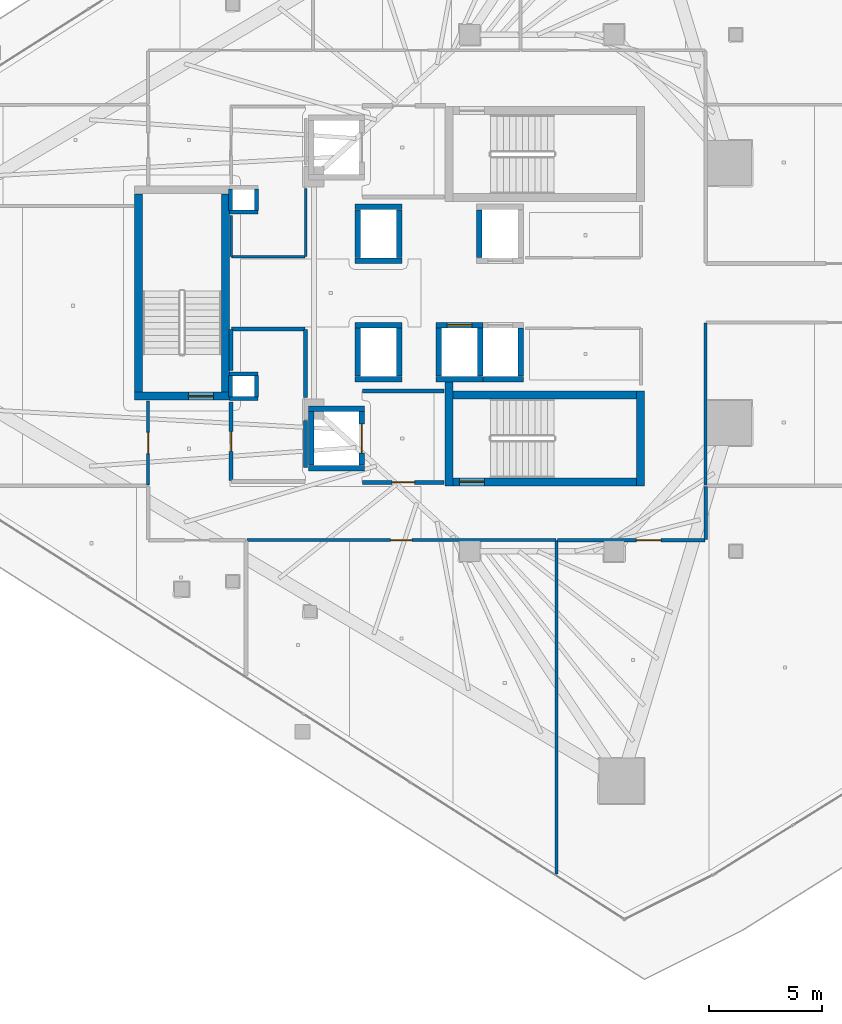
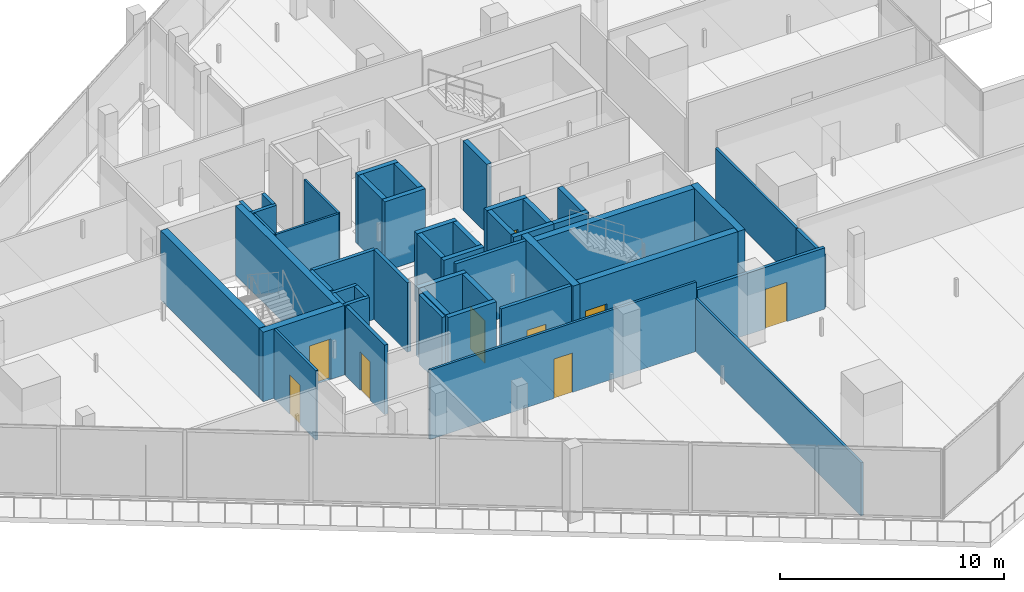
# One storey, part 25 of 36: 49 walls, 9 doors, 9 openings.
"""IFC4 building model written with IfcOpenShell, lengths in metres."""

from ifc_helpers import new_model, si_unit, direction, frame, frame_2d, origin, place, context, subcontext, project, spatial, rectangle, extrude, material, layer, layer_set, type_object, element, fill, save


model = new_model("IFC4")

# Units and contexts
model_context = context("Model", 3, precision=1e-05, world=origin(), true_north=direction((0.0, 1.0)))
body_context = subcontext(model_context, "Body", "Model", "MODEL_VIEW")
ifc_project = project(units=[si_unit("LENGTHUNIT", "METRE"), si_unit("AREAUNIT", "SQUARE_METRE"), si_unit("VOLUMEUNIT", "CUBIC_METRE"), si_unit("PLANEANGLEUNIT", "RADIAN"), si_unit("MASSUNIT", "GRAM", prefix="KILO")], contexts=[model_context])

# Site, building, storey
site_placement = place(None, origin())
site = spatial("IfcSite", under=ifc_project, at=site_placement, CompositionType="ELEMENT")
building_placement = place(site_placement, origin())
building = spatial("IfcBuilding", under=site, at=building_placement, Name="Qorvath Tower", CompositionType="ELEMENT")
storey_placement = place(building_placement, frame((0.0, 0.0, 205.050048828125)))
storey = spatial("IfcBuildingStorey", under=building, at=storey_placement, Name="L47", CompositionType="ELEMENT", Elevation=205.050048828125)

# Walls
ifc_material_1 = material(Name="Gypsum shaftliner on steel studs", Category="steel")
ifc_layer_1 = layer(ifc_material_1, 0.179931640625)
ifc_layer_set_1 = layer_set([ifc_layer_1], Name="FW-LOBBY")
wall_type_1 = type_object("IfcWallType", Name="FW-LOBBY", PredefinedType="PARTITIONING", material=ifc_layer_set_1)
wall_1_placement = place(storey_placement, frame((-32.989990234375, 3.594970703125, 0.0), z_axis=(0.0, 0.0, 1.0), x_axis=(-1.0, 0.0, 0.0)))
element("IfcWall", 1, at=wall_1_placement, inside=storey, type_object=wall_type_1, Name="MEP Riser Shaft Enclosure Wall N-L47-S", PredefinedType="PARTITIONING", context=body_context, shape_type="SweptSolid", body=[
    extrude(rectangle(XDim=1.27001953125, YDim=0.179931640625, at=frame_2d((0.635009765625, 0.0))), origin(), (0.0, 0.0, 1.0), 3.780029296875),
])
for number, where, z_axis, x_axis, name in (
    (2, (-34.205078125, 3.659912109375, 0.0), (0.0, 0.0, 1.0), (0.0, 1.0, 0.0), "MEP Riser Shaft Enclosure Wall N-L47-W"),
    (3, (-33.044921875, 4.610107421875, 0.0), (0.0, 0.0, 1.0), (0.0, -1.0, 0.0), "MEP Riser Shaft Enclosure Wall N-L47-E"),
):
    element("IfcWall", number, at=place(storey_placement, frame(where, z_axis=z_axis, x_axis=x_axis)), inside=storey, type_object=wall_type_1, Name=name, PredefinedType="PARTITIONING", context=body_context, shape_type="SweptSolid", body=[
        extrude(rectangle(XDim=0.9501953125, YDim=0.179931640625, at=frame_2d((0.47509765625, 0.0))), origin(), (0.0, 0.0, 1.0), 3.780029296875),
    ])
for number, where, z_axis, x_axis, name in (
    (4, (-32.989990234375, -4.675048828125, 0.0), (0.0, 0.0, 1.0), (-1.0, 0.0, 0.0), "MEP Riser Shaft Enclosure Wall S-L47-S"),
    (5, (-34.260009765625, -3.594970703125, 0.0), (0.0, 0.0, 1.0), (1.0, 0.0, 0.0), "MEP Riser Shaft Enclosure Wall S-L47-N"),
):
    element("IfcWall", number, at=place(storey_placement, frame(where, z_axis=z_axis, x_axis=x_axis)), inside=storey, type_object=wall_type_1, Name=name, PredefinedType="PARTITIONING", context=body_context, shape_type="SweptSolid", body=[
        extrude(rectangle(XDim=1.27001953125, YDim=0.179931640625, at=frame_2d((0.635009765625, 0.0))), origin(), (0.0, 0.0, 1.0), 3.780029296875),
    ])
for number, where, z_axis, x_axis, name in (
    (6, (-34.205078125, -4.610107421875, 0.0), (0.0, 0.0, 1.0), (0.0, 1.0, 0.0), "MEP Riser Shaft Enclosure Wall S-L47-W"),
    (7, (-33.044921875, -3.659912109375, 0.0), (0.0, 0.0, 1.0), (0.0, -1.0, 0.0), "MEP Riser Shaft Enclosure Wall S-L47-E"),
):
    element("IfcWall", number, at=place(storey_placement, frame(where, z_axis=z_axis, x_axis=x_axis)), inside=storey, type_object=wall_type_1, Name=name, PredefinedType="PARTITIONING", context=body_context, shape_type="SweptSolid", body=[
        extrude(rectangle(XDim=0.9501953125, YDim=0.179931640625, at=frame_2d((0.47509765625, 0.0))), origin(), (0.0, 0.0, 1.0), 3.780029296875),
    ])

# Wall, opening, door
wall_2_placement = place(storey_placement, frame((-28.35498046875, -8.39990234375, 0.0), z_axis=(0.0, 0.0, 1.0), x_axis=(1.0, 0.0, 0.0)))
wall_2 = element("IfcWall", 8, at=wall_2_placement, inside=storey, type_object=wall_type_1, Name="Interior Partition IW-T1-L47-003", PredefinedType="PARTITIONING", context=body_context, shape_type="SweptSolid", body=[
    extrude(rectangle(XDim=3.6220703125, YDim=0.179931640625, at=frame_2d((1.81103515625, 0.0))), origin(), (0.0, 0.0, 1.0), 3.780029296875),
])
opening_1_placement = place(wall_2_placement, frame((1.31103515625, 0.0, 0.0)))
opening_1 = element("IfcOpeningElement", 9, at=opening_1_placement, cuts=wall_2, Name="Opening D-T1-L47-16", PredefinedType="OPENING", context=body_context, shape_type="SweptSolid", body=[
    extrude(rectangle(XDim=1.0, YDim=2.14990234375, at=frame_2d((0.5, 1.074951171875))), frame((0.0, 0.10009765625, 0.0), z_axis=(0.0, -1.0, 0.0), x_axis=(1.0, 0.0, 0.0)), (0.0, 0.0, 1.0), 0.199951171875),
])
ifc_material_2 = material(Name="Painted galvanised hollow metal", Category="steel")
door_type_1 = type_object("IfcDoorType", Name="FD-60", OperationType="NOTDEFINED", PredefinedType="DOOR", material=ifc_material_2)
door_1_placement = place(opening_1_placement, origin())
door_1 = element("IfcDoor", 10, at=door_1_placement, inside=storey, type_object=door_type_1, Name="Lobby Fire Service Elevator South Door D-T1-L47-16", OperationType="SINGLE_SWING_RIGHT", OverallHeight=2.14990234375, OverallWidth=1.0, PredefinedType="DOOR", context=body_context, shape_type="SweptSolid", body=[
    extrude(rectangle(XDim=1.0, YDim=2.14990234375, at=frame_2d((0.5, 1.074951171875))), frame((0.0, 0.02490234375, 0.0), z_axis=(0.0, -1.0, 0.0), x_axis=(1.0, 0.0, 0.0)), (0.0, 0.0, 1.0), 0.050048828125),
])
fill(opening_1, door_1)

# Walls
wall_3_placement = place(storey_placement, frame((-24.73291015625, -4.35009765625, 0.0), z_axis=(0.0, 0.0, 1.0), x_axis=(-1.0, 0.0, 0.0)))
element("IfcWall", 11, at=wall_3_placement, inside=storey, type_object=wall_type_1, Name="Interior Partition IW-T1-L47-004", PredefinedType="PARTITIONING", context=body_context, shape_type="SweptSolid", body=[
    extrude(rectangle(XDim=3.6220703125, YDim=0.179931640625, at=frame_2d((1.81103515625, 0.0))), origin(), (0.0, 0.0, 1.0), 3.780029296875),
])
wall_4_placement = place(storey_placement, frame((-30.8798828125, -7.742919921875, 0.0), z_axis=(0.0, 0.0, 1.0), x_axis=(0.0, 1.0, 0.0)))
element("IfcWall", 12, at=wall_4_placement, inside=storey, type_object=wall_type_1, Name="Interior Partition IW-T1-L47-016", PredefinedType="PARTITIONING", context=body_context, shape_type="SweptSolid", body=[
    extrude(rectangle(XDim=2.077880859375, YDim=0.179931640625, at=frame_2d((1.0390625, 0.0))), origin(), (0.0, 0.0, 1.0), 3.780029296875),
])
wall_5_placement = place(storey_placement, frame((-30.8798828125, -4.635009765625, 0.0), z_axis=(0.0, 0.0, 1.0), x_axis=(0.0, 1.0, 0.0)))
element("IfcWall", 13, at=wall_5_placement, inside=storey, type_object=wall_type_1, Name="Interior Partition IW-T1-L47-017", PredefinedType="PARTITIONING", context=body_context, shape_type="SweptSolid", body=[
    extrude(rectangle(XDim=3.010009765625, YDim=0.179931640625, at=frame_2d((1.5048828125, 0.0))), origin(), (0.0, 0.0, 1.0), 3.780029296875),
])
wall_6_placement = place(storey_placement, frame((-30.90478515625, -1.60009765625, 0.0), z_axis=(0.0, 0.0, 1.0), x_axis=(-1.0, 0.0, 0.0)))
element("IfcWall", 14, at=wall_6_placement, inside=storey, type_object=wall_type_1, Name="Interior Partition IW-T1-L47-018", PredefinedType="PARTITIONING", context=body_context, shape_type="SweptSolid", body=[
    extrude(rectangle(XDim=3.25, YDim=0.179931640625, at=frame_2d((1.625, 0.0))), origin(), (0.0, 0.0, 1.0), 3.780029296875),
])
wall_7_placement = place(storey_placement, frame((-34.179931640625, -1.625, 0.0), z_axis=(0.0, 0.0, 1.0), x_axis=(0.0, -1.0, 0.0)))
element("IfcWall", 15, at=wall_7_placement, inside=storey, type_object=wall_type_1, Name="Interior Partition IW-T1-L47-019", PredefinedType="PARTITIONING", context=body_context, shape_type="SweptSolid", body=[
    extrude(rectangle(XDim=1.804931640625, YDim=0.179931640625, at=frame_2d((0.90234375, 0.0))), origin(), (0.0, 0.0, 1.0), 3.780029296875),
])

# Wall, opening, door
wall_8_placement = place(storey_placement, frame((-34.179931640625, -4.840087890625, 0.0), z_axis=(0.0, 0.0, 1.0), x_axis=(0.0, -1.0, 0.0)))
wall_8 = element("IfcWall", 16, at=wall_8_placement, inside=storey, type_object=wall_type_1, Name="Interior Partition IW-T1-L47-020", PredefinedType="PARTITIONING", context=body_context, shape_type="SweptSolid", body=[
    extrude(rectangle(XDim=3.485107421875, YDim=0.179931640625, at=frame_2d((1.74267578125, 0.0))), origin(), (0.0, 0.0, 1.0), 3.780029296875),
])
opening_2_placement = place(wall_8_placement, frame((1.302490234375, 0.0, 0.0)))
opening_2 = element("IfcOpeningElement", 17, at=opening_2_placement, cuts=wall_8, Name="Opening D-T1-L47-04", PredefinedType="OPENING", context=body_context, shape_type="SweptSolid", body=[
    extrude(rectangle(XDim=0.8798828125, YDim=2.10009765625, at=frame_2d((0.43994140625, 1.050048828125))), frame((0.0, 0.10009765625, 0.0), z_axis=(0.0, -1.0, 0.0), x_axis=(1.0, 0.0, 0.0)), (0.0, 0.0, 1.0), 0.199951171875),
])
ifc_material_3 = material(Name="Painted galvanised hollow metal", Category="steel")
door_type_2 = type_object("IfcDoorType", Name="FD-60N", OperationType="NOTDEFINED", PredefinedType="DOOR", material=ifc_material_3)
door_2_placement = place(opening_2_placement, origin())
door_2 = element("IfcDoor", 18, at=door_2_placement, inside=storey, type_object=door_type_2, Name="Core electrical and cleaner room L47 Door D-T1-L47-04", OperationType="SINGLE_SWING_RIGHT", OverallHeight=2.10009765625, OverallWidth=0.8798828125, PredefinedType="DOOR", context=body_context, shape_type="SweptSolid", body=[
    extrude(rectangle(XDim=0.8798828125, YDim=2.10009765625, at=frame_2d((0.43994140625, 1.050048828125))), frame((0.0, 0.02490234375, 0.0), z_axis=(0.0, -1.0, 0.0), x_axis=(1.0, 0.0, 0.0)), (0.0, 0.0, 1.0), 0.050048828125),
])
fill(opening_2, door_2)

# Wall
ifc_material_4 = material(Name="Double acoustic gypsum board on steel studs", Category="steel")
ifc_layer_2 = layer(ifc_material_4, 0.159912109375)
ifc_layer_set_2 = layer_set([ifc_layer_2], Name="IW-ACOUSTIC-160")
wall_type_2 = type_object("IfcWallType", Name="IW-ACOUSTIC-160", PredefinedType="PARTITIONING", material=ifc_layer_set_2)
wall_9_placement = place(storey_placement, frame((-13.14208984375, -8.574951171875, 0.0), z_axis=(0.0, 0.0, 1.0), x_axis=(0.0, -1.0, 0.0)))
element("IfcWall", 19, at=wall_9_placement, inside=storey, type_object=wall_type_2, Name="Interior Partition IW-T1-L47-039", PredefinedType="PARTITIONING", context=body_context, shape_type="SweptSolid", body=[
    extrude(rectangle(XDim=2.358154296875, YDim=0.159912109375, at=frame_2d((1.17919921875, 0.0))), origin(), (0.0, 0.0, 1.0), 2.89990234375),
])

# Wall, opening, door
wall_10_placement = place(storey_placement, frame((-13.1669921875, -10.9580078125, 0.0), z_axis=(0.0, 0.0, 1.0), x_axis=(-1.0, 0.0, 0.0)))
wall_10 = element("IfcWall", 20, at=wall_10_placement, inside=storey, type_object=wall_type_2, Name="Interior Partition IW-T1-L47-040", PredefinedType="PARTITIONING", context=body_context, shape_type="SweptSolid", body=[
    extrude(rectangle(XDim=6.552001953125, YDim=0.159912109375, at=frame_2d((3.27587890625, 0.0))), origin(), (0.0, 0.0, 1.0), 3.34423828125),
])
opening_3_placement = place(wall_10_placement, frame((1.947021484375, 0.0, 0.0)))
opening_3 = element("IfcOpeningElement", 21, at=opening_3_placement, cuts=wall_10, Name="Opening D-T1-L47-10", PredefinedType="OPENING", context=body_context, shape_type="SweptSolid", body=[
    extrude(rectangle(XDim=1.10009765625, YDim=2.14990234375, at=frame_2d((0.550048828125, 1.074951171875))), frame((0.0, 0.08984375, 0.0), z_axis=(0.0, -1.0, 0.0), x_axis=(1.0, 0.0, 0.0)), (0.0, 0.0, 1.0), 0.179931640625),
])
ifc_material_5 = material(Name="Anodised aluminium acoustic framed glass", Category="aluminium")
door_type_3 = type_object("IfcDoorType", Name="D-03", OperationType="NOTDEFINED", PredefinedType="DOOR", material=ifc_material_5)
door_3_placement = place(opening_3_placement, origin())
door_3 = element("IfcDoor", 22, at=door_3_placement, inside=storey, type_object=door_type_3, Name="L47-06 Team Project Office Door D-T1-L47-10", OperationType="SINGLE_SWING_RIGHT", OverallHeight=2.14990234375, OverallWidth=1.10009765625, PredefinedType="DOOR", context=body_context, shape_type="SweptSolid", body=[
    extrude(rectangle(XDim=1.10009765625, YDim=2.14990234375, at=frame_2d((0.550048828125, 1.074951171875))), frame((0.0, 0.02490234375, 0.0), z_axis=(0.0, -1.0, 0.0), x_axis=(1.0, 0.0, 0.0)), (0.0, 0.0, 1.0), 0.050048828125),
])
fill(opening_3, door_3)

ifc_material_6 = material(Name="Gypsum board on metal studs with mineral wool", Category="gypsum")
ifc_layer_3 = layer(ifc_material_6, 0.125)
ifc_layer_set_3 = layer_set([ifc_layer_3], Name="IW-PART-125")
wall_type_3 = type_object("IfcWallType", Name="IW-PART-125", PredefinedType="PARTITIONING", material=ifc_layer_set_3)
wall_11_placement = place(storey_placement, frame((-19.777099609375, -10.9580078125, 0.0), z_axis=(0.0, 0.0, 1.0), x_axis=(-1.0, 0.0, 0.0)))
wall_11 = element("IfcWall", 23, at=wall_11_placement, inside=storey, type_object=wall_type_3, Name="Interior Partition IW-T1-L47-036", PredefinedType="PARTITIONING", context=body_context, shape_type="SweptSolid", body=[
    extrude(rectangle(XDim=13.70849609375, YDim=0.125, at=frame_2d((6.854248046875, 0.0))), origin(), (0.0, 0.0, 1.0), 3.780029296875),
])
opening_4_placement = place(wall_11_placement, frame((6.379150390625, 0.0, 0.0)))
opening_4 = element("IfcOpeningElement", 24, at=opening_4_placement, cuts=wall_11, Name="Opening D-T1-L47-09", PredefinedType="OPENING", context=body_context, shape_type="SweptSolid", body=[
    extrude(rectangle(XDim=0.949951171875, YDim=2.14990234375, at=frame_2d((0.47509765625, 1.074951171875))), frame((0.0, 0.072509765625, 0.0), z_axis=(0.0, -1.0, 0.0), x_axis=(1.0, 0.0, 0.0)), (0.0, 0.0, 1.0), 0.14501953125),
])
ifc_material_7 = material(Name="Solid-core American white oak veneer", Category="wood")
door_type_4 = type_object("IfcDoorType", Name="D-01", OperationType="NOTDEFINED", PredefinedType="DOOR", material=ifc_material_7)
door_4_placement = place(opening_4_placement, origin())
door_4 = element("IfcDoor", 25, at=door_4_placement, inside=storey, type_object=door_type_4, Name="L47-05 Quantitative Research Studio Door D-T1-L47-09", OperationType="SINGLE_SWING_LEFT", OverallHeight=2.14990234375, OverallWidth=0.949951171875, PredefinedType="DOOR", context=body_context, shape_type="SweptSolid", body=[
    extrude(rectangle(XDim=0.949951171875, YDim=2.14990234375, at=frame_2d((0.47509765625, 1.074951171875))), frame((0.0, 0.02490234375, 0.0), z_axis=(0.0, -1.0, 0.0), x_axis=(1.0, 0.0, 0.0)), (0.0, 0.0, 1.0), 0.050048828125),
])
fill(opening_4, door_4)

# Walls
wall_12_placement = place(storey_placement, frame((-19.752197265625, -25.767822265625, 0.0), z_axis=(0.0, 0.0, 1.0), x_axis=(0.0, 1.0, 0.0)))
element("IfcWall", 26, at=wall_12_placement, inside=storey, type_object=wall_type_3, Name="Interior Partition IW-T1-L47-037", PredefinedType="PARTITIONING", context=body_context, shape_type="SweptSolid", body=[
    extrude(rectangle(XDim=14.784912109375, YDim=0.125, at=frame_2d((7.392578125, 0.0))), origin(), (0.0, 0.0, 1.0), 2.89501953125),
])
wall_13_placement = place(storey_placement, frame((-13.14208984375, -1.3330078125, 0.0), z_axis=(0.0, 0.0, 1.0), x_axis=(0.0, -1.0, 0.0)))
element("IfcWall", 27, at=wall_13_placement, inside=storey, type_object=wall_type_3, Name="Interior Partition IW-T1-L47-042", PredefinedType="PARTITIONING", context=body_context, shape_type="SweptSolid", body=[
    extrude(rectangle(XDim=7.18408203125, YDim=0.125, at=frame_2d((3.592041015625, 0.0))), origin(), (0.0, 0.0, 1.0), 2.89990234375),
])

# Wall, opening, door
wall_14_placement = place(storey_placement, frame((-37.85791015625, -8.51708984375, 0.0), z_axis=(0.0, 0.0, 1.0), x_axis=(0.0, 1.0, 0.0)))
wall_14 = element("IfcWall", 28, at=wall_14_placement, inside=storey, type_object=wall_type_3, Name="Interior Partition IW-T1-L47-045", PredefinedType="PARTITIONING", context=body_context, shape_type="SweptSolid", body=[
    extrude(rectangle(XDim=3.73388671875, YDim=0.125, at=frame_2d((1.866943359375, 0.0))), origin(), (0.0, 0.0, 1.0), 3.780029296875),
])
opening_5_placement = place(wall_14_placement, frame((1.391845703125, 0.0, 0.0)))
opening_5 = element("IfcOpeningElement", 29, at=opening_5_placement, cuts=wall_14, Name="Opening D-T1-L47-13", PredefinedType="OPENING", context=body_context, shape_type="SweptSolid", body=[
    extrude(rectangle(XDim=0.949951171875, YDim=2.14990234375, at=frame_2d((0.47509765625, 1.074951171875))), frame((0.0, 0.072509765625, 0.0), z_axis=(0.0, -1.0, 0.0), x_axis=(1.0, 0.0, 0.0)), (0.0, 0.0, 1.0), 0.14501953125),
])
door_5_placement = place(opening_5_placement, origin())
door_5 = element("IfcDoor", 30, at=door_5_placement, inside=storey, type_object=door_type_4, Name="L47-09 Focus Collaboration Pod Door D-T1-L47-13", OperationType="SINGLE_SWING_LEFT", OverallHeight=2.14990234375, OverallWidth=0.949951171875, PredefinedType="DOOR", context=body_context, shape_type="SweptSolid", body=[
    extrude(rectangle(XDim=0.949951171875, YDim=2.14990234375, at=frame_2d((0.47509765625, 1.074951171875))), frame((0.0, 0.02490234375, 0.0), z_axis=(0.0, -1.0, 0.0), x_axis=(1.0, 0.0, 0.0)), (0.0, 0.0, 1.0), 0.050048828125),
])
fill(opening_5, door_5)

# Walls
ifc_material_8 = material(Name="Moisture-resistant cement board on metal studs", Category="gypsum")
ifc_layer_4 = layer(ifc_material_8, 0.110107421875)
ifc_layer_set_4 = layer_set([ifc_layer_4], Name="IW-WC-110")
wall_type_4 = type_object("IfcWallType", Name="IW-WC-110", PredefinedType="PARTITIONING", material=ifc_layer_set_4)
wall_15_placement = place(storey_placement, frame((-34.15478515625, 1.60009765625, 0.0), z_axis=(0.0, 0.0, 1.0), x_axis=(1.0, 0.0, 0.0)))
element("IfcWall", 31, at=wall_15_placement, inside=storey, type_object=wall_type_4, Name="Interior Partition IW-T1-L47-005", PredefinedType="PARTITIONING", context=body_context, shape_type="SweptSolid", body=[
    extrude(rectangle(XDim=3.25, YDim=0.110107421875, at=frame_2d((1.625, 0.0))), origin(), (0.0, 0.0, 1.0), 3.780029296875),
])
wall_16_placement = place(storey_placement, frame((-30.8798828125, 1.625, 0.0), z_axis=(0.0, 0.0, 1.0), x_axis=(0.0, 1.0, 0.0)))
element("IfcWall", 32, at=wall_16_placement, inside=storey, type_object=wall_type_4, Name="Interior Partition IW-T1-L47-006", PredefinedType="PARTITIONING", context=body_context, shape_type="SweptSolid", body=[
    extrude(rectangle(XDim=3.010009765625, YDim=0.110107421875, at=frame_2d((1.5048828125, 0.0))), origin(), (0.0, 0.0, 1.0), 3.780029296875),
])
wall_17_placement = place(storey_placement, frame((-34.179931640625, 3.429931640625, 0.0), z_axis=(0.0, 0.0, 1.0), x_axis=(0.0, -1.0, 0.0)))
element("IfcWall", 33, at=wall_17_placement, inside=storey, type_object=wall_type_4, Name="Interior Partition IW-T1-L47-010", PredefinedType="PARTITIONING", context=body_context, shape_type="SweptSolid", body=[
    extrude(rectangle(XDim=1.804931640625, YDim=0.110107421875, at=frame_2d((0.90234375, 0.0))), origin(), (0.0, 0.0, 1.0), 3.780029296875),
])
ifc_material_9 = material(Name="Concrete C60/75", Category="concrete")
ifc_layer_5 = layer(ifc_material_9, 0.260009765625)
ifc_layer_set_5 = layer_set([ifc_layer_5], Name="SW-SHAFT")
wall_type_5 = type_object("IfcWallType", Name="SW-SHAFT", PredefinedType="SHEAR", material=ifc_layer_set_5)
for number, where, z_axis, x_axis, name in (
    (34, (-28.260009765625, -7.77001953125, 0.0), (0.0, 0.0, 1.0), (-1.0, 0.0, 0.0), "Hoistway Wall FSAE-2 L47 S"),
    (35, (-30.739990234375, -5.1298828125, 0.0), (0.0, 0.0, 1.0), (1.0, 0.0, 0.0), "Hoistway Wall FSAE-2 L47 N"),
):
    element("IfcWall", number, at=place(storey_placement, frame(where, z_axis=z_axis, x_axis=x_axis)), inside=storey, type_object=wall_type_5, Name=name, PredefinedType="SHEAR", context=body_context, shape_type="SweptSolid", body=[
        extrude(rectangle(XDim=2.47998046875, YDim=0.239990234375, at=frame_2d((1.239990234375, 0.0))), origin(), (0.0, 0.0, 1.0), 3.780029296875),
    ])
wall_18_placement = place(storey_placement, frame((-30.6201171875, -7.637939453125, 0.0), z_axis=(0.0, 0.0, 1.0), x_axis=(0.0, 1.0, 0.0)))
element("IfcWall", 36, at=wall_18_placement, inside=storey, type_object=wall_type_5, Name="Hoistway Wall FSAE-2 L47 W", PredefinedType="SHEAR", context=body_context, shape_type="SweptSolid", body=[
    extrude(rectangle(XDim=2.3759765625, YDim=0.239990234375, at=frame_2d((1.18798828125, 0.0))), origin(), (0.0, 0.0, 1.0), 3.780029296875),
])

# Wall, opening, door
wall_19_placement = place(storey_placement, frame((-28.3798828125, -5.261962890625, 0.0), z_axis=(0.0, 0.0, 1.0), x_axis=(0.0, -1.0, 0.0)))
wall_19 = element("IfcWall", 37, at=wall_19_placement, inside=storey, type_object=wall_type_5, Name="Hoistway Wall FSAE-2 L47 E", PredefinedType="SHEAR", context=body_context, shape_type="SweptSolid", body=[
    extrude(rectangle(XDim=2.3759765625, YDim=0.239990234375, at=frame_2d((1.18798828125, 0.0))), origin(), (0.0, 0.0, 1.0), 3.780029296875),
])
opening_6_placement = place(wall_19_placement, frame((0.5380859375, 0.0, 0.0)))
opening_6 = element("IfcOpeningElement", 38, at=opening_6_placement, cuts=wall_19, Name="Opening LD-FSAE-2-L47", PredefinedType="OPENING", context=body_context, shape_type="SweptSolid", body=[
    extrude(rectangle(XDim=1.300048828125, YDim=2.300048828125, at=frame_2d((0.64990234375, 1.14990234375))), frame((0.0, 0.1298828125, 0.0), z_axis=(0.0, -1.0, 0.0), x_axis=(1.0, 0.0, 0.0)), (0.0, 0.0, 1.0), 0.260009765625),
])
ifc_material_10 = material(Name="Brushed stainless steel AISI 316", Category="steel")
door_type_5 = type_object("IfcDoorType", Name="LD-02", OperationType="NOTDEFINED", PredefinedType="DOOR", material=ifc_material_10)
door_6_placement = place(opening_6_placement, origin())
door_6 = element("IfcDoor", 39, at=door_6_placement, inside=storey, type_object=door_type_5, Name="Elevator Landing Sliding Door LD-FSAE-2-L47", OperationType="DOUBLE_DOOR_SLIDING", OverallHeight=2.300048828125, OverallWidth=1.300048828125, PredefinedType="DOOR", context=body_context, shape_type="SweptSolid", body=[
    extrude(rectangle(XDim=1.300048828125, YDim=2.300048828125, at=frame_2d((0.64990234375, 1.14990234375))), frame((0.0, 0.02490234375, 0.0), z_axis=(0.0, -1.0, 0.0), x_axis=(1.0, 0.0, 0.0)), (0.0, 0.0, 1.0), 0.050048828125),
])
fill(opening_6, door_6)

# Walls
for number, where, z_axis, x_axis, name in (
    (40, (-26.610107421875, 1.429931640625, 0.0), (0.0, 0.0, 1.0), (-1.0, 0.0, 0.0), "Hoistway Wall PS-1 L47 S"),
    (41, (-28.68994140625, 3.820068359375, 0.0), (0.0, 0.0, 1.0), (1.0, 0.0, 0.0), "Hoistway Wall PS-1 L47 N"),
):
    element("IfcWall", number, at=place(storey_placement, frame(where, z_axis=z_axis, x_axis=x_axis)), inside=storey, type_object=wall_type_5, Name=name, PredefinedType="SHEAR", context=body_context, shape_type="SweptSolid", body=[
        extrude(rectangle(XDim=2.079833984375, YDim=0.239990234375, at=frame_2d((1.0400390625, 0.0))), origin(), (0.0, 0.0, 1.0), 3.780029296875),
    ])
for number, where, z_axis, x_axis, name in (
    (42, (-28.570068359375, 1.56201171875, 0.0), (0.0, 0.0, 1.0), (0.0, 1.0, 0.0), "Hoistway Wall PS-1 L47 W"),
    (43, (-26.72998046875, 3.68798828125, 0.0), (0.0, 0.0, 1.0), (0.0, -1.0, 0.0), "Hoistway Wall PS-1 L47 E"),
    (44, (-23.169921875, 1.56201171875, 0.0), (0.0, 0.0, 1.0), (0.0, 1.0, 0.0), "Hoistway Wall PU-1 L47 W"),
):
    element("IfcWall", number, at=place(storey_placement, frame(where, z_axis=z_axis, x_axis=x_axis)), inside=storey, type_object=wall_type_5, Name=name, PredefinedType="SHEAR", context=body_context, shape_type="SweptSolid", body=[
        extrude(rectangle(XDim=2.1259765625, YDim=0.239990234375, at=frame_2d((1.06298828125, 0.0))), origin(), (0.0, 0.0, 1.0), 3.780029296875),
    ])
for number, where, z_axis, x_axis, name in (
    (45, (-26.610107421875, -3.820068359375, 0.0), (0.0, 0.0, 1.0), (-1.0, 0.0, 0.0), "Hoistway Wall PS-2 L47 S"),
    (46, (-28.68994140625, -1.429931640625, 0.0), (0.0, 0.0, 1.0), (1.0, 0.0, 0.0), "Hoistway Wall PS-2 L47 N"),
):
    element("IfcWall", number, at=place(storey_placement, frame(where, z_axis=z_axis, x_axis=x_axis)), inside=storey, type_object=wall_type_5, Name=name, PredefinedType="SHEAR", context=body_context, shape_type="SweptSolid", body=[
        extrude(rectangle(XDim=2.079833984375, YDim=0.239990234375, at=frame_2d((1.0400390625, 0.0))), origin(), (0.0, 0.0, 1.0), 3.780029296875),
    ])
for number, where, z_axis, x_axis, name in (
    (47, (-28.570068359375, -3.68798828125, 0.0), (0.0, 0.0, 1.0), (0.0, 1.0, 0.0), "Hoistway Wall PS-2 L47 W"),
    (48, (-26.72998046875, -1.56201171875, 0.0), (0.0, 0.0, 1.0), (0.0, -1.0, 0.0), "Hoistway Wall PS-2 L47 E"),
):
    element("IfcWall", number, at=place(storey_placement, frame(where, z_axis=z_axis, x_axis=x_axis)), inside=storey, type_object=wall_type_5, Name=name, PredefinedType="SHEAR", context=body_context, shape_type="SweptSolid", body=[
        extrude(rectangle(XDim=2.1259765625, YDim=0.239990234375, at=frame_2d((1.06298828125, 0.0))), origin(), (0.0, 0.0, 1.0), 3.780029296875),
    ])
wall_20_placement = place(storey_placement, frame((-23.010009765625, -3.820068359375, 0.0), z_axis=(0.0, 0.0, 1.0), x_axis=(-1.0, 0.0, 0.0)))
element("IfcWall", 49, at=wall_20_placement, inside=storey, type_object=wall_type_5, Name="Hoistway Wall PU-2 L47 S", PredefinedType="SHEAR", context=body_context, shape_type="SweptSolid", body=[
    extrude(rectangle(XDim=2.080078125, YDim=0.239990234375, at=frame_2d((1.0400390625, 0.0))), origin(), (0.0, 0.0, 1.0), 3.780029296875),
])

# Wall, opening, door
wall_21_placement = place(storey_placement, frame((-25.090087890625, -1.429931640625, 0.0), z_axis=(0.0, 0.0, 1.0), x_axis=(1.0, 0.0, 0.0)))
wall_21 = element("IfcWall", 50, at=wall_21_placement, inside=storey, type_object=wall_type_5, Name="Hoistway Wall PU-2 L47 N", PredefinedType="SHEAR", context=body_context, shape_type="SweptSolid", body=[
    extrude(rectangle(XDim=2.080078125, YDim=0.239990234375, at=frame_2d((1.0400390625, 0.0))), origin(), (0.0, 0.0, 1.0), 3.780029296875),
])
opening_7_placement = place(wall_21_placement, frame((0.489990234375, 0.0, 0.0)))
opening_7 = element("IfcOpeningElement", 51, at=opening_7_placement, cuts=wall_21, Name="Opening LD-PU-2-L47", PredefinedType="OPENING", context=body_context, shape_type="SweptSolid", body=[
    extrude(rectangle(XDim=1.10009765625, YDim=2.199951171875, at=frame_2d((0.550048828125, 1.10009765625))), frame((0.0, 0.1298828125, 0.0), z_axis=(0.0, -1.0, 0.0), x_axis=(1.0, 0.0, 0.0)), (0.0, 0.0, 1.0), 0.260009765625),
])
ifc_material_11 = material(Name="Brushed stainless steel AISI 316", Category="steel")
door_type_6 = type_object("IfcDoorType", Name="LD-01", OperationType="NOTDEFINED", PredefinedType="DOOR", material=ifc_material_11)
door_7_placement = place(opening_7_placement, origin())
door_7 = element("IfcDoor", 52, at=door_7_placement, inside=storey, type_object=door_type_6, Name="Elevator Landing Sliding Door LD-PU-2-L47", OperationType="DOUBLE_DOOR_SLIDING", OverallHeight=2.199951171875, OverallWidth=1.10009765625, PredefinedType="DOOR", context=body_context, shape_type="SweptSolid", body=[
    extrude(rectangle(XDim=1.10009765625, YDim=2.199951171875, at=frame_2d((0.550048828125, 1.10009765625))), frame((0.0, 0.02490234375, 0.0), z_axis=(0.0, -1.0, 0.0), x_axis=(1.0, 0.0, 0.0)), (0.0, 0.0, 1.0), 0.050048828125),
])
fill(opening_7, door_7)

# Walls
for number, where, z_axis, x_axis, name in (
    (53, (-24.969970703125, -3.68798828125, 0.0), (0.0, 0.0, 1.0), (0.0, 1.0, 0.0), "Hoistway Wall PU-2 L47 W"),
    (54, (-23.1298828125, -1.56201171875, 0.0), (0.0, 0.0, 1.0), (0.0, -1.0, 0.0), "Hoistway Wall PU-2 L47 E"),
):
    element("IfcWall", number, at=place(storey_placement, frame(where, z_axis=z_axis, x_axis=x_axis)), inside=storey, type_object=wall_type_5, Name=name, PredefinedType="SHEAR", context=body_context, shape_type="SweptSolid", body=[
        extrude(rectangle(XDim=2.1259765625, YDim=0.239990234375, at=frame_2d((1.06298828125, 0.0))), origin(), (0.0, 0.0, 1.0), 3.780029296875),
    ])
wall_22_placement = place(storey_placement, frame((-21.2099609375, -3.820068359375, 0.0), z_axis=(0.0, 0.0, 1.0), x_axis=(-1.0, 0.0, 0.0)))
element("IfcWall", 55, at=wall_22_placement, inside=storey, type_object=wall_type_5, Name="Hoistway Wall PU-3 L47 S", PredefinedType="SHEAR", context=body_context, shape_type="SweptSolid", body=[
    extrude(rectangle(XDim=1.800048828125, YDim=0.239990234375, at=frame_2d((0.89990234375, 0.0))), origin(), (0.0, 0.0, 1.0), 3.780029296875),
])
wall_23_placement = place(storey_placement, frame((-21.330078125, -1.56201171875, 0.0), z_axis=(0.0, 0.0, 1.0), x_axis=(0.0, -1.0, 0.0)))
element("IfcWall", 56, at=wall_23_placement, inside=storey, type_object=wall_type_5, Name="Hoistway Wall PU-3 L47 E", PredefinedType="SHEAR", context=body_context, shape_type="SweptSolid", body=[
    extrude(rectangle(XDim=2.1259765625, YDim=0.239990234375, at=frame_2d((1.06298828125, 0.0))), origin(), (0.0, 0.0, 1.0), 3.780029296875),
])
ifc_material_12 = material(Name="Concrete C60/75", Category="concrete")
ifc_layer_6 = layer(ifc_material_12, 0.35009765625)
ifc_layer_set_6 = layer_set([ifc_layer_6], Name="SW-STAIR")
wall_type_6 = type_object("IfcWallType", Name="SW-STAIR", PredefinedType="SHEAR", material=ifc_layer_set_6)
wall_24_placement = place(storey_placement, frame((-24.52490234375, -3.93994140625, 0.0), z_axis=(0.0, 0.0, 1.0), x_axis=(0.0, -1.0, 0.0)))
element("IfcWall", 57, at=wall_24_placement, inside=storey, type_object=wall_type_6, Name="Stair TS2 Shear Wall L47 NEAR", PredefinedType="SHEAR", context=body_context, shape_type="SweptSolid", body=[
    extrude(rectangle(XDim=4.610107421875, YDim=0.35009765625, at=frame_2d((2.30517578125, 0.0))), origin(), (0.0, 0.0, 1.0), 3.780029296875),
])
wall_25_placement = place(storey_placement, frame((-16.02490234375, -8.550048828125, 0.0), z_axis=(0.0, 0.0, 1.0), x_axis=(0.0, 1.0, 0.0)))
element("IfcWall", 58, at=wall_25_placement, inside=storey, type_object=wall_type_6, Name="Stair TS2 Shear Wall L47 FAR", PredefinedType="SHEAR", context=body_context, shape_type="SweptSolid", body=[
    extrude(rectangle(XDim=4.2099609375, YDim=0.35009765625, at=frame_2d((2.10498046875, 0.0))), origin(), (0.0, 0.0, 1.0), 3.780029296875),
])

# Wall, opening, door
wall_26_placement = place(storey_placement, frame((-24.3349609375, -8.375, 0.0), z_axis=(0.0, 0.0, 1.0), x_axis=(1.0, 0.0, 0.0)))
wall_26 = element("IfcWall", 59, at=wall_26_placement, inside=storey, type_object=wall_type_6, Name="Stair TS2 Shear Wall L47 LEFT", PredefinedType="SHEAR", context=body_context, shape_type="SweptSolid", body=[
    extrude(rectangle(XDim=8.119873046875, YDim=0.35009765625, at=frame_2d((4.06005859375, 0.0))), origin(), (0.0, 0.0, 1.0), 3.780029296875),
])
opening_8_placement = place(wall_26_placement, frame((0.280029296875, 0.0, 0.0)))
opening_8 = element("IfcOpeningElement", 60, at=opening_8_placement, cuts=wall_26, Name="Opening D-TS2-L47", PredefinedType="OPENING", context=body_context, shape_type="SweptSolid", body=[
    extrude(rectangle(XDim=1.10009765625, YDim=2.199951171875, at=frame_2d((0.550048828125, 1.10009765625))), frame((0.0, 0.18505859375, 0.0), z_axis=(0.0, -1.0, 0.0), x_axis=(1.0, 0.0, 0.0)), (0.0, 0.0, 1.0), 0.3701171875),
])
ifc_material_13 = material(Name="Painted galvanised hollow metal", Category="steel")
door_type_7 = type_object("IfcDoorType", Name="FD-90", OperationType="NOTDEFINED", PredefinedType="DOOR", material=ifc_material_13)
door_8_placement = place(opening_8_placement, origin())
door_8 = element("IfcDoor", 61, at=door_8_placement, inside=storey, type_object=door_type_7, Name="Stair TS2 Fire Door L47", OperationType="SINGLE_SWING_RIGHT", OverallHeight=2.199951171875, OverallWidth=1.10009765625, PredefinedType="DOOR", context=body_context, shape_type="SweptSolid", body=[
    extrude(rectangle(XDim=1.10009765625, YDim=2.199951171875, at=frame_2d((0.550048828125, 1.10009765625))), frame((0.0, 0.02490234375, 0.0), z_axis=(0.0, -1.0, 0.0), x_axis=(1.0, 0.0, 0.0)), (0.0, 0.0, 1.0), 0.050048828125),
])
fill(opening_8, door_8)

# Wall
wall_27_placement = place(storey_placement, frame((-16.215087890625, -4.514892578125, 0.0), z_axis=(0.0, 0.0, 1.0), x_axis=(-1.0, 0.0, 0.0)))
element("IfcWall", 62, at=wall_27_placement, inside=storey, type_object=wall_type_6, Name="Stair TS2 Shear Wall L47 RIGHT", PredefinedType="SHEAR", context=body_context, shape_type="SweptSolid", body=[
    extrude(rectangle(XDim=8.119873046875, YDim=0.35009765625, at=frame_2d((4.06005859375, 0.0))), origin(), (0.0, 0.0, 1.0), 3.780029296875),
])

# Wall, opening, door
wall_28_placement = place(storey_placement, frame((-38.4599609375, -4.574951171875, 0.0), z_axis=(0.0, 0.0, 1.0), x_axis=(1.0, 0.0, 0.0)))
wall_28 = element("IfcWall", 63, at=wall_28_placement, inside=storey, type_object=wall_type_6, Name="Stair TS3 Shear Wall L47 NEAR", PredefinedType="SHEAR", context=body_context, shape_type="SweptSolid", body=[
    extrude(rectangle(XDim=4.2099609375, YDim=0.35009765625, at=frame_2d((2.10498046875, 0.0))), origin(), (0.0, 0.0, 1.0), 3.780029296875),
])
opening_9_placement = place(wall_28_placement, frame((2.389892578125, 0.0, 0.0)))
opening_9 = element("IfcOpeningElement", 64, at=opening_9_placement, cuts=wall_28, Name="Opening D-TS3-L47", PredefinedType="OPENING", context=body_context, shape_type="SweptSolid", body=[
    extrude(rectangle(XDim=1.10009765625, YDim=2.199951171875, at=frame_2d((0.550048828125, 1.10009765625))), frame((0.0, 0.18505859375, 0.0), z_axis=(0.0, -1.0, 0.0), x_axis=(1.0, 0.0, 0.0)), (0.0, 0.0, 1.0), 0.3701171875),
])
door_9_placement = place(opening_9_placement, origin())
door_9 = element("IfcDoor", 65, at=door_9_placement, inside=storey, type_object=door_type_7, Name="Stair TS3 Fire Door L47", OperationType="SINGLE_SWING_RIGHT", OverallHeight=2.199951171875, OverallWidth=1.10009765625, PredefinedType="DOOR", context=body_context, shape_type="SweptSolid", body=[
    extrude(rectangle(XDim=1.10009765625, YDim=2.199951171875, at=frame_2d((0.550048828125, 1.10009765625))), frame((0.0, 0.02490234375, 0.0), z_axis=(0.0, -1.0, 0.0), x_axis=(1.0, 0.0, 0.0)), (0.0, 0.0, 1.0), 0.050048828125),
])
fill(opening_9, door_9)

# Walls
for number, where, z_axis, x_axis, name in (
    (66, (-34.425048828125, -4.385009765625, 0.0), (0.0, 0.0, 1.0), (0.0, 1.0, 0.0), "Stair TS3 Shear Wall L47 LEFT"),
    (67, (-38.284912109375, 4.385009765625, 0.0), (0.0, 0.0, 1.0), (0.0, -1.0, 0.0), "Stair TS3 Shear Wall L47 RIGHT"),
):
    element("IfcWall", number, at=place(storey_placement, frame(where, z_axis=z_axis, x_axis=x_axis)), inside=storey, type_object=wall_type_6, Name=name, PredefinedType="SHEAR", context=body_context, shape_type="SweptSolid", body=[
        extrude(rectangle(XDim=8.77001953125, YDim=0.35009765625, at=frame_2d((4.385009765625, 0.0))), origin(), (0.0, 0.0, 1.0), 3.780029296875),
    ])

save(model, "model.ifc")
